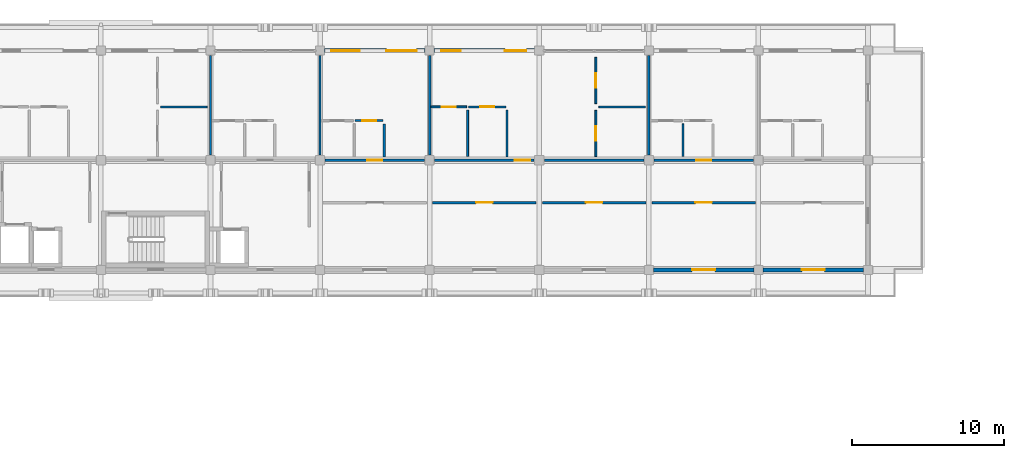
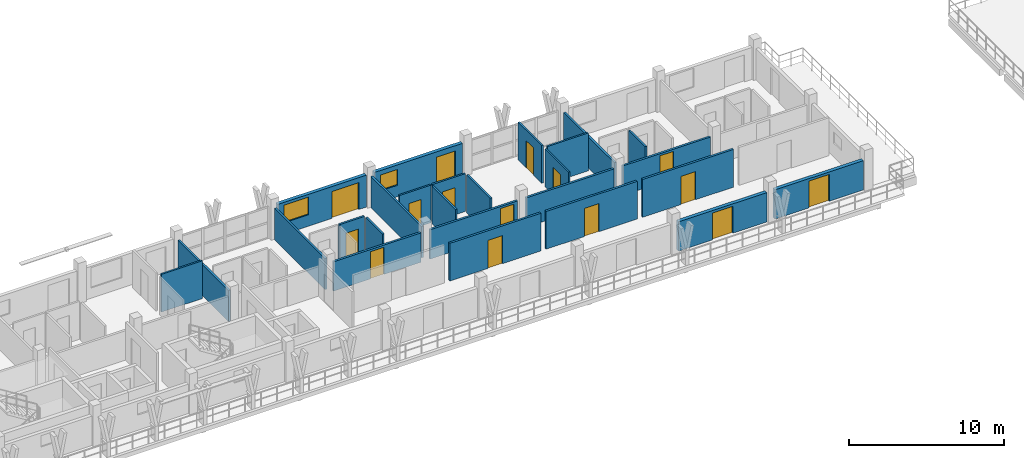
# One storey, part 42 of 73: 26 walls, 15 doors, 2 windows, 17 openings.
"""IFC4 building model written with IfcOpenShell, lengths in metres."""

from ifc_helpers import new_model, si_unit, direction, frame, frame_2d, origin, place, context, subcontext, project, spatial, rectangle, extrude, material, layer, layer_set, type_object, element, fill, save


model = new_model("IFC4")

# Units and contexts
model_context = context("Model", 3, precision=1e-05, world=origin(), true_north=direction((0.0, 1.0)))
body_context = subcontext(model_context, "Body", "Model", "MODEL_VIEW")
ifc_project = project(units=[si_unit("LENGTHUNIT", "METRE"), si_unit("AREAUNIT", "SQUARE_METRE"), si_unit("VOLUMEUNIT", "CUBIC_METRE"), si_unit("PLANEANGLEUNIT", "RADIAN"), si_unit("MASSUNIT", "GRAM", prefix="KILO")], contexts=[model_context])

# Site, building, storey
site_placement = place(None, origin())
site = spatial("IfcSite", under=ifc_project, at=site_placement, CompositionType="ELEMENT")
building_placement = place(site_placement, origin())
building = spatial("IfcBuilding", under=site, at=building_placement, Name="Suanplinth Sawtooth Commons", CompositionType="ELEMENT")
storey_placement = place(building_placement, frame((0.0, 0.0, 21.89990234375)))
storey = spatial("IfcBuildingStorey", under=building, at=storey_placement, Name="L06", CompositionType="ELEMENT", Elevation=21.89990234375)

# Wall, openings, door, window
ifc_material_1 = material(Name="Precast concrete C40/50", Category="concrete")
ifc_layer_1 = layer(ifc_material_1, 0.260009765625, Name="Insulated precast courtyard facade wall 260mm")
ifc_layer_set_1 = layer_set([ifc_layer_1], Name="Precast concrete C40/50")
wall_type_1 = type_object("IfcWallType", Name="W-EX02", PredefinedType="ELEMENTEDWALL", material=ifc_layer_set_1)
wall_1_placement = place(storey_placement, frame((72.300048828125, 122.39990234375, 0.0), z_axis=(0.0, 0.0, 1.0), x_axis=(1.0, 0.0, 0.0)))
wall_1 = element("IfcWall", 1, at=wall_1_placement, inside=storey, type_object=wall_type_1, Name="Facade Wall W-L06-A-N-9", PredefinedType="ELEMENTEDWALL", context=body_context, shape_type="SweptSolid", body=[
    extrude(rectangle(XDim=6.599853515625, YDim=0.260009765625, at=frame_2d((3.2998046875, 0.0))), origin(), (0.0, 0.0, 1.0), 2.51513671875),
])
opening_1_placement = place(wall_1_placement, frame((4.050048828125, 0.0, 0.0)))
opening_1 = element("IfcOpeningElement", 2, at=opening_1_placement, cuts=wall_1, Name="Opening ED0488", PredefinedType="OPENING", context=body_context, shape_type="SweptSolid", body=[
    extrude(rectangle(XDim=2.0, YDim=2.1201171875, at=frame_2d((1.0, 1.06005859375))), frame((0.0, 0.14501953125, 0.0), z_axis=(0.0, -1.0, 0.0), x_axis=(1.0, 0.0, 0.0)), (0.0, 0.0, 1.0), 0.289794921875),
])
opening_2_placement = place(wall_1_placement, frame((0.449951171875, 0.0, 0.89990234375)))
opening_2 = element("IfcOpeningElement", 3, at=opening_2_placement, cuts=wall_1, Name="Opening W0577", PredefinedType="OPENING", context=body_context, shape_type="SweptSolid", body=[
    extrude(rectangle(XDim=1.85009765625, YDim=1.39990234375, at=frame_2d((0.925048828125, 0.699951171875))), frame((0.0, 0.14501953125, 0.0), z_axis=(0.0, -1.0, 0.0), x_axis=(1.0, 0.0, 0.0)), (0.0, 0.0, 1.0), 0.289794921875),
])
ifc_material_2 = material(Name="Anodized aluminium and low-E glass", Category="aluminium")
door_type_1 = type_object("IfcDoorType", Name="SD-06", OperationType="DOUBLE_DOOR_SLIDING", PredefinedType="DOOR", material=ifc_material_2)
door_1_placement = place(opening_1_placement, frame((2.0, 0.0, 0.0), z_axis=(0.0, 0.0, 1.0), x_axis=(-1.0, 0.0, 0.0)))
door_1 = element("IfcDoor", 4, at=door_1_placement, inside=storey, type_object=door_type_1, Name="Balcony Sliding Door L06-A-N-9", OperationType="DOUBLE_DOOR_SLIDING", OverallHeight=2.1201171875, OverallWidth=2.0, PredefinedType="DOOR", context=body_context, shape_type="SweptSolid", body=[
    extrude(rectangle(XDim=2.0, YDim=2.1201171875, at=frame_2d((1.0, 1.06005859375))), frame((0.0, 0.02490234375, 0.0), z_axis=(0.0, -1.0, 0.0), x_axis=(1.0, 0.0, 0.0)), (0.0, 0.0, 1.0), 0.050048828125),
])
fill(opening_1, door_1)
ifc_material_3 = material(Name="Thermally broken aluminium and low-E double glazing", Category="aluminium")
window_type_1 = type_object("IfcWindowType", Name="WN-23", PartitioningType="DOUBLE_PANEL_VERTICAL", PredefinedType="WINDOW", material=ifc_material_3)
window_1_placement = place(opening_2_placement, origin())
window_1 = element("IfcWindow", 5, at=window_1_placement, inside=storey, type_object=window_type_1, Name="Window L06-A-N-9", OverallHeight=1.39990234375, OverallWidth=1.85009765625, PartitioningType="DOUBLE_PANEL_VERTICAL", PredefinedType="WINDOW", context=body_context, shape_type="SweptSolid", body=[
    extrude(rectangle(XDim=1.85009765625, YDim=1.39990234375, at=frame_2d((0.925048828125, 0.699951171875))), frame((0.0, 0.030029296875, 0.0), z_axis=(0.0, -1.0, 0.0), x_axis=(1.0, 0.0, 0.0)), (0.0, 0.0, 1.0), 0.06005859375),
])
fill(opening_2, window_1)

wall_2_placement = place(storey_placement, frame((79.5, 122.39990234375, 0.0), z_axis=(0.0, 0.0, 1.0), x_axis=(1.0, 0.0, 0.0)))
wall_2 = element("IfcWall", 6, at=wall_2_placement, inside=storey, type_object=wall_type_1, Name="Facade Wall W-L06-A-N-10", PredefinedType="ELEMENTEDWALL", context=body_context, shape_type="SweptSolid", body=[
    extrude(rectangle(XDim=6.60009765625, YDim=0.260009765625, at=frame_2d((3.300048828125, 0.0))), origin(), (0.0, 0.0, 1.0), 2.51513671875),
])
opening_3_placement = place(wall_2_placement, frame((4.64990234375, 0.0, 0.0)))
opening_3 = element("IfcOpeningElement", 7, at=opening_3_placement, cuts=wall_2, Name="Opening ED0490", PredefinedType="OPENING", context=body_context, shape_type="SweptSolid", body=[
    extrude(rectangle(XDim=1.39990234375, YDim=2.10009765625, at=frame_2d((0.699951171875, 1.050048828125))), frame((0.0, 0.14501953125, 0.0), z_axis=(0.0, -1.0, 0.0), x_axis=(1.0, 0.0, 0.0)), (0.0, 0.0, 1.0), 0.289794921875),
])
opening_4_placement = place(wall_2_placement, frame((0.449951171875, 0.0, 0.89990234375)))
opening_4 = element("IfcOpeningElement", 8, at=opening_4_placement, cuts=wall_2, Name="Opening W0578", PredefinedType="OPENING", context=body_context, shape_type="SweptSolid", body=[
    extrude(rectangle(XDim=1.300048828125, YDim=1.25, at=frame_2d((0.64990234375, 0.625))), frame((0.0, 0.14501953125, 0.0), z_axis=(0.0, -1.0, 0.0), x_axis=(1.0, 0.0, 0.0)), (0.0, 0.0, 1.0), 0.289794921875),
])
door_type_2 = type_object("IfcDoorType", Name="SD-07", OperationType="SLIDING_TO_RIGHT", PredefinedType="DOOR", material=ifc_material_2)
door_2_placement = place(opening_3_placement, frame((1.39990234375, 0.0, 0.0), z_axis=(0.0, 0.0, 1.0), x_axis=(-1.0, 0.0, 0.0)))
door_2 = element("IfcDoor", 9, at=door_2_placement, inside=storey, type_object=door_type_2, Name="Balcony Sliding Door L06-A-N-10", OperationType="SLIDING_TO_RIGHT", OverallHeight=2.10009765625, OverallWidth=1.39990234375, PredefinedType="DOOR", context=body_context, shape_type="SweptSolid", body=[
    extrude(rectangle(XDim=1.39990234375, YDim=2.10009765625, at=frame_2d((0.699951171875, 1.050048828125))), frame((0.0, 0.02490234375, 0.0), z_axis=(0.0, -1.0, 0.0), x_axis=(1.0, 0.0, 0.0)), (0.0, 0.0, 1.0), 0.050048828125),
])
fill(opening_3, door_2)
window_type_2 = type_object("IfcWindowType", Name="WN-24", PartitioningType="SINGLE_PANEL", PredefinedType="WINDOW", material=ifc_material_3)
window_2_placement = place(opening_4_placement, origin())
window_2 = element("IfcWindow", 10, at=window_2_placement, inside=storey, type_object=window_type_2, Name="Window L06-A-N-10", OverallHeight=1.25, OverallWidth=1.300048828125, PartitioningType="SINGLE_PANEL", PredefinedType="WINDOW", context=body_context, shape_type="SweptSolid", body=[
    extrude(rectangle(XDim=1.300048828125, YDim=1.25, at=frame_2d((0.64990234375, 0.625))), frame((0.0, 0.030029296875, 0.0), z_axis=(0.0, -1.0, 0.0), x_axis=(1.0, 0.0, 0.0)), (0.0, 0.0, 1.0), 0.06005859375),
])
fill(opening_4, window_2)

# Wall, opening, door
wall_3_placement = place(storey_placement, frame((93.89990234375, 108.0, 0.0), z_axis=(0.0, 0.0, 1.0), x_axis=(1.0, 0.0, 0.0)))
wall_3 = element("IfcWall", 11, at=wall_3_placement, inside=storey, type_object=wall_type_1, Name="Courtyard Wall W-L06-A-S-12", PredefinedType="ELEMENTEDWALL", context=body_context, shape_type="SweptSolid", body=[
    extrude(rectangle(XDim=6.60009765625, YDim=0.260009765625, at=frame_2d((3.300048828125, 0.0))), origin(), (0.0, 0.0, 1.0), 2.315185546875),
])
opening_5_placement = place(wall_3_placement, frame((2.550048828125, 0.0, 0.0)))
opening_5 = element("IfcOpeningElement", 12, at=opening_5_placement, cuts=wall_3, Name="Opening ED0494", PredefinedType="OPENING", context=body_context, shape_type="SweptSolid", body=[
    extrude(rectangle(XDim=1.5, YDim=2.1201171875, at=frame_2d((0.75, 1.06005859375))), frame((0.0, 0.14501953125, 0.0), z_axis=(0.0, -1.0, 0.0), x_axis=(1.0, 0.0, 0.0)), (0.0, 0.0, 1.0), 0.289794921875),
])
door_type_3 = type_object("IfcDoorType", Name="SD-03", OperationType="SLIDING_TO_LEFT", PredefinedType="DOOR", material=ifc_material_2)
door_3_placement = place(opening_5_placement, frame((1.5, 0.0, 0.0), z_axis=(0.0, 0.0, 1.0), x_axis=(-1.0, 0.0, 0.0)))
door_3 = element("IfcDoor", 13, at=door_3_placement, inside=storey, type_object=door_type_3, Name="Courtyard Balcony Sliding Door L06-A-S-12", OperationType="SLIDING_TO_LEFT", OverallHeight=2.1201171875, OverallWidth=1.5, PredefinedType="DOOR", context=body_context, shape_type="SweptSolid", body=[
    extrude(rectangle(XDim=1.5, YDim=2.1201171875, at=frame_2d((0.75, 1.06005859375))), frame((0.0, 0.02490234375, 0.0), z_axis=(0.0, -1.0, 0.0), x_axis=(1.0, 0.0, 0.0)), (0.0, 0.0, 1.0), 0.050048828125),
])
fill(opening_5, door_3)

wall_4_placement = place(storey_placement, frame((101.10009765625, 108.0, 0.0), z_axis=(0.0, 0.0, 1.0), x_axis=(1.0, 0.0, 0.0)))
wall_4 = element("IfcWall", 14, at=wall_4_placement, inside=storey, type_object=wall_type_1, Name="Courtyard Wall W-L06-A-S-13", PredefinedType="ELEMENTEDWALL", context=body_context, shape_type="SweptSolid", body=[
    extrude(rectangle(XDim=6.599853515625, YDim=0.260009765625, at=frame_2d((3.2998046875, 0.0))), origin(), (0.0, 0.0, 1.0), 2.315185546875),
])
opening_6_placement = place(wall_4_placement, frame((2.550048828125, 0.0, 0.0)))
opening_6 = element("IfcOpeningElement", 15, at=opening_6_placement, cuts=wall_4, Name="Opening ED0496", PredefinedType="OPENING", context=body_context, shape_type="SweptSolid", body=[
    extrude(rectangle(XDim=1.5, YDim=2.1201171875, at=frame_2d((0.75, 1.06005859375))), frame((0.0, 0.14501953125, 0.0), z_axis=(0.0, -1.0, 0.0), x_axis=(1.0, 0.0, 0.0)), (0.0, 0.0, 1.0), 0.289794921875),
])
door_4_placement = place(opening_6_placement, frame((1.5, 0.0, 0.0), z_axis=(0.0, 0.0, 1.0), x_axis=(-1.0, 0.0, 0.0)))
door_4 = element("IfcDoor", 16, at=door_4_placement, inside=storey, type_object=door_type_3, Name="Courtyard Balcony Sliding Door L06-A-S-13", OperationType="SLIDING_TO_LEFT", OverallHeight=2.1201171875, OverallWidth=1.5, PredefinedType="DOOR", context=body_context, shape_type="SweptSolid", body=[
    extrude(rectangle(XDim=1.5, YDim=2.1201171875, at=frame_2d((0.75, 1.06005859375))), frame((0.0, 0.02490234375, 0.0), z_axis=(0.0, -1.0, 0.0), x_axis=(1.0, 0.0, 0.0)), (0.0, 0.0, 1.0), 0.050048828125),
])
fill(opening_6, door_4)

ifc_layer_2 = layer(ifc_material_1, 0.159912109375, Name="Fire-rated corridor and lobby wall 160mm")
ifc_layer_set_2 = layer_set([ifc_layer_2], Name="Precast concrete C40/50")
wall_type_2 = type_object("IfcWallType", Name="W-FW01", PredefinedType="PARTITIONING", material=ifc_layer_set_2)
wall_5_placement = place(storey_placement, frame((72.330078125, 115.199951171875, 0.0), z_axis=(0.0, 0.0, 1.0), x_axis=(1.0, 0.0, 0.0)))
wall_5 = element("IfcWall", 17, at=wall_5_placement, inside=storey, type_object=wall_type_2, Name="W-A-L06-U08-COR", PredefinedType="PARTITIONING", context=body_context, shape_type="SweptSolid", body=[
    extrude(rectangle(XDim=6.5400390625, YDim=0.159912109375, at=frame_2d((3.27001953125, 0.0))), origin(), (0.0, 0.0, 1.0), 2.315185546875),
])
opening_7_placement = place(wall_5_placement, frame((2.77001953125, 0.0, 0.0)))
opening_7 = element("IfcOpeningElement", 18, at=opening_7_placement, cuts=wall_5, Name="Opening FD1380", PredefinedType="OPENING", context=body_context, shape_type="SweptSolid", body=[
    extrude(rectangle(XDim=1.0, YDim=2.14990234375, at=frame_2d((0.5, 1.074951171875))), frame((0.0, 0.0947265625, 0.0), z_axis=(0.0, -1.0, 0.0), x_axis=(1.0, 0.0, 0.0)), (0.0, 0.0, 1.0), 0.189697265625),
])
ifc_material_4 = material(Name="Teak hardwood fire-rated door assembly", Category="wood")
door_type_4 = type_object("IfcDoorType", Name="FD-03", OperationType="NOTDEFINED", PredefinedType="DOOR", material=ifc_material_4)
door_5_placement = place(opening_7_placement, origin())
door_5 = element("IfcDoor", 19, at=door_5_placement, inside=storey, type_object=door_type_4, Name="Unit Entrance Door FD1380", OperationType="SINGLE_SWING_RIGHT", OverallHeight=2.14990234375, OverallWidth=1.0, PredefinedType="DOOR", context=body_context, shape_type="SweptSolid", body=[
    extrude(rectangle(XDim=1.0, YDim=2.14990234375, at=frame_2d((0.5, 1.074951171875))), frame((0.0, 0.02490234375, 0.0), z_axis=(0.0, -1.0, 0.0), x_axis=(1.0, 0.0, 0.0)), (0.0, 0.0, 1.0), 0.050048828125),
])
fill(opening_7, door_5)

wall_6_placement = place(storey_placement, frame((79.530029296875, 115.199951171875, 0.0), z_axis=(0.0, 0.0, 1.0), x_axis=(1.0, 0.0, 0.0)))
wall_6 = element("IfcWall", 20, at=wall_6_placement, inside=storey, type_object=wall_type_2, Name="W-A-L06-U09-COR-S1", PredefinedType="PARTITIONING", context=body_context, shape_type="SweptSolid", body=[
    extrude(rectangle(XDim=6.5400390625, YDim=0.159912109375, at=frame_2d((3.27001953125, 0.0))), origin(), (0.0, 0.0, 1.0), 2.315185546875),
])
opening_8_placement = place(wall_6_placement, frame((5.27001953125, 0.0, 0.0)))
opening_8 = element("IfcOpeningElement", 21, at=opening_8_placement, cuts=wall_6, Name="Opening FD1383", PredefinedType="OPENING", context=body_context, shape_type="SweptSolid", body=[
    extrude(rectangle(XDim=1.0, YDim=2.14990234375, at=frame_2d((0.5, 1.074951171875))), frame((0.0, 0.0947265625, 0.0), z_axis=(0.0, -1.0, 0.0), x_axis=(1.0, 0.0, 0.0)), (0.0, 0.0, 1.0), 0.189697265625),
])
door_6_placement = place(opening_8_placement, origin())
door_6 = element("IfcDoor", 22, at=door_6_placement, inside=storey, type_object=door_type_4, Name="Unit Entrance Door FD1383", OperationType="SINGLE_SWING_LEFT", OverallHeight=2.14990234375, OverallWidth=1.0, PredefinedType="DOOR", context=body_context, shape_type="SweptSolid", body=[
    extrude(rectangle(XDim=1.0, YDim=2.14990234375, at=frame_2d((0.5, 1.074951171875))), frame((0.0, 0.02490234375, 0.0), z_axis=(0.0, -1.0, 0.0), x_axis=(1.0, 0.0, 0.0)), (0.0, 0.0, 1.0), 0.050048828125),
])
fill(opening_8, door_6)

# Wall
wall_7_placement = place(storey_placement, frame((86.72998046875, 115.199951171875, 0.0), z_axis=(0.0, 0.0, 1.0), x_axis=(1.0, 0.0, 0.0)))
element("IfcWall", 23, at=wall_7_placement, inside=storey, type_object=wall_type_2, Name="W-A-L06-U09-COR-S2", PredefinedType="PARTITIONING", context=body_context, shape_type="SweptSolid", body=[
    extrude(rectangle(XDim=6.5400390625, YDim=0.159912109375, at=frame_2d((3.27001953125, 0.0))), origin(), (0.0, 0.0, 1.0), 2.315185546875),
])

# Wall, opening, door
wall_8_placement = place(storey_placement, frame((93.929931640625, 115.199951171875, 0.0), z_axis=(0.0, 0.0, 1.0), x_axis=(1.0, 0.0, 0.0)))
wall_8 = element("IfcWall", 24, at=wall_8_placement, inside=storey, type_object=wall_type_2, Name="W-A-L06-U10-COR", PredefinedType="PARTITIONING", context=body_context, shape_type="SweptSolid", body=[
    extrude(rectangle(XDim=6.5400390625, YDim=0.159912109375, at=frame_2d((3.27001953125, 0.0))), origin(), (0.0, 0.0, 1.0), 2.315185546875),
])
opening_9_placement = place(wall_8_placement, frame((2.77001953125, 0.0, 0.0)))
opening_9 = element("IfcOpeningElement", 25, at=opening_9_placement, cuts=wall_8, Name="Opening FD1388", PredefinedType="OPENING", context=body_context, shape_type="SweptSolid", body=[
    extrude(rectangle(XDim=1.0, YDim=2.14990234375, at=frame_2d((0.5, 1.074951171875))), frame((0.0, 0.0947265625, 0.0), z_axis=(0.0, -1.0, 0.0), x_axis=(1.0, 0.0, 0.0)), (0.0, 0.0, 1.0), 0.189697265625),
])
door_7_placement = place(opening_9_placement, origin())
door_7 = element("IfcDoor", 26, at=door_7_placement, inside=storey, type_object=door_type_4, Name="Unit Entrance Door FD1388", OperationType="SINGLE_SWING_RIGHT", OverallHeight=2.14990234375, OverallWidth=1.0, PredefinedType="DOOR", context=body_context, shape_type="SweptSolid", body=[
    extrude(rectangle(XDim=1.0, YDim=2.14990234375, at=frame_2d((0.5, 1.074951171875))), frame((0.0, 0.02490234375, 0.0), z_axis=(0.0, -1.0, 0.0), x_axis=(1.0, 0.0, 0.0)), (0.0, 0.0, 1.0), 0.050048828125),
])
fill(opening_9, door_7)

wall_9_placement = place(storey_placement, frame((79.39990234375, 112.419921875, 0.0), z_axis=(0.0, 0.0, 1.0), x_axis=(1.0, 0.0, 0.0)))
wall_9 = element("IfcWall", 27, at=wall_9_placement, inside=storey, type_object=wall_type_2, Name="W-A-L06-COURTROOM-17-COR", PredefinedType="PARTITIONING", context=body_context, shape_type="SweptSolid", body=[
    extrude(rectangle(XDim=6.800048828125, YDim=0.159912109375, at=frame_2d((3.39990234375, 0.0))), origin(), (0.0, 0.0, 1.0), 2.97998046875),
])
opening_10_placement = place(wall_9_placement, frame((2.860107421875, 0.0, 0.0)))
opening_10 = element("IfcOpeningElement", 28, at=opening_10_placement, cuts=wall_9, Name="Opening D1400", PredefinedType="OPENING", context=body_context, shape_type="SweptSolid", body=[
    extrude(rectangle(XDim=1.080078125, YDim=2.219970703125, at=frame_2d((0.5400390625, 1.10986328125))), frame((0.0, 0.0947265625, 0.0), z_axis=(0.0, -1.0, 0.0), x_axis=(1.0, 0.0, 0.0)), (0.0, 0.0, 1.0), 0.189697265625),
])
ifc_material_5 = material(Name="Teak hardwood", Category="wood")
door_type_5 = type_object("IfcDoorType", Name="D-17", OperationType="NOTDEFINED", PredefinedType="DOOR", material=ifc_material_5)
door_8_placement = place(opening_10_placement, frame((1.080078125, 0.0, 0.0), z_axis=(0.0, 0.0, 1.0), x_axis=(-1.0, 0.0, 0.0)))
door_8 = element("IfcDoor", 29, at=door_8_placement, inside=storey, type_object=door_type_5, Name="Study Studio Door D1400", OperationType="SINGLE_SWING_RIGHT", OverallHeight=2.219970703125, OverallWidth=1.080078125, PredefinedType="DOOR", context=body_context, shape_type="SweptSolid", body=[
    extrude(rectangle(XDim=1.080078125, YDim=2.219970703125, at=frame_2d((0.5400390625, 1.10986328125))), frame((0.0, 0.02490234375, 0.0), z_axis=(0.0, -1.0, 0.0), x_axis=(1.0, 0.0, 0.0)), (0.0, 0.0, 1.0), 0.050048828125),
])
fill(opening_10, door_8)

wall_10_placement = place(storey_placement, frame((86.60009765625, 112.419921875, 0.0), z_axis=(0.0, 0.0, 1.0), x_axis=(1.0, 0.0, 0.0)))
wall_10 = element("IfcWall", 30, at=wall_10_placement, inside=storey, type_object=wall_type_2, Name="W-A-L06-COURTROOM-18-COR", PredefinedType="PARTITIONING", context=body_context, shape_type="SweptSolid", body=[
    extrude(rectangle(XDim=6.7998046875, YDim=0.159912109375, at=frame_2d((3.39990234375, 0.0))), origin(), (0.0, 0.0, 1.0), 2.97998046875),
])
opening_11_placement = place(wall_10_placement, frame((2.860107421875, 0.0, 0.0)))
opening_11 = element("IfcOpeningElement", 31, at=opening_11_placement, cuts=wall_10, Name="Opening D1401", PredefinedType="OPENING", context=body_context, shape_type="SweptSolid", body=[
    extrude(rectangle(XDim=1.080078125, YDim=2.219970703125, at=frame_2d((0.5400390625, 1.10986328125))), frame((0.0, 0.0947265625, 0.0), z_axis=(0.0, -1.0, 0.0), x_axis=(1.0, 0.0, 0.0)), (0.0, 0.0, 1.0), 0.189697265625),
])
door_9_placement = place(opening_11_placement, frame((1.080078125, 0.0, 0.0), z_axis=(0.0, 0.0, 1.0), x_axis=(-1.0, 0.0, 0.0)))
door_9 = element("IfcDoor", 32, at=door_9_placement, inside=storey, type_object=door_type_5, Name="Study Studio Door D1401", OperationType="SINGLE_SWING_LEFT", OverallHeight=2.219970703125, OverallWidth=1.080078125, PredefinedType="DOOR", context=body_context, shape_type="SweptSolid", body=[
    extrude(rectangle(XDim=1.080078125, YDim=2.219970703125, at=frame_2d((0.5400390625, 1.10986328125))), frame((0.0, 0.02490234375, 0.0), z_axis=(0.0, -1.0, 0.0), x_axis=(1.0, 0.0, 0.0)), (0.0, 0.0, 1.0), 0.050048828125),
])
fill(opening_11, door_9)

wall_11_placement = place(storey_placement, frame((93.800048828125, 112.419921875, 0.0), z_axis=(0.0, 0.0, 1.0), x_axis=(1.0, 0.0, 0.0)))
wall_11 = element("IfcWall", 33, at=wall_11_placement, inside=storey, type_object=wall_type_2, Name="W-A-L06-COURTROOM-19-COR", PredefinedType="PARTITIONING", context=body_context, shape_type="SweptSolid", body=[
    extrude(rectangle(XDim=6.800048828125, YDim=0.159912109375, at=frame_2d((3.39990234375, 0.0))), origin(), (0.0, 0.0, 1.0), 2.97998046875),
])
opening_12_placement = place(wall_11_placement, frame((2.860107421875, 0.0, 0.0)))
opening_12 = element("IfcOpeningElement", 34, at=opening_12_placement, cuts=wall_11, Name="Opening D1402", PredefinedType="OPENING", context=body_context, shape_type="SweptSolid", body=[
    extrude(rectangle(XDim=1.080078125, YDim=2.219970703125, at=frame_2d((0.5400390625, 1.10986328125))), frame((0.0, 0.0947265625, 0.0), z_axis=(0.0, -1.0, 0.0), x_axis=(1.0, 0.0, 0.0)), (0.0, 0.0, 1.0), 0.189697265625),
])
door_10_placement = place(opening_12_placement, frame((1.080078125, 0.0, 0.0), z_axis=(0.0, 0.0, 1.0), x_axis=(-1.0, 0.0, 0.0)))
door_10 = element("IfcDoor", 35, at=door_10_placement, inside=storey, type_object=door_type_5, Name="Study Studio Door D1402", OperationType="SINGLE_SWING_RIGHT", OverallHeight=2.219970703125, OverallWidth=1.080078125, PredefinedType="DOOR", context=body_context, shape_type="SweptSolid", body=[
    extrude(rectangle(XDim=1.080078125, YDim=2.219970703125, at=frame_2d((0.5400390625, 1.10986328125))), frame((0.0, 0.02490234375, 0.0), z_axis=(0.0, -1.0, 0.0), x_axis=(1.0, 0.0, 0.0)), (0.0, 0.0, 1.0), 0.050048828125),
])
fill(opening_12, door_10)

# Walls
ifc_layer_3 = layer(ifc_material_1, 0.14990234375, Name="Acoustic precast party demising wall 150mm")
ifc_layer_set_3 = layer_set([ifc_layer_3], Name="Precast concrete C40/50")
wall_type_3 = type_object("IfcWallType", Name="W-FW02", PredefinedType="PARTITIONING", material=ifc_layer_set_3)
for number, where, z_axis, x_axis, name in (
    (36, (64.800048828125, 115.530029296875, 0.0), (0.0, 0.0, 1.0), (0.0, 1.0, 0.0), "W-A-L06-U06-PTY"),
    (37, (72.0, 115.530029296875, 0.0), (0.0, 0.0, 1.0), (0.0, 1.0, 0.0), "W-A-L06-U07-PTY"),
    (38, (79.199951171875, 115.530029296875, 0.0), (0.0, 0.0, 1.0), (0.0, 1.0, 0.0), "W-A-L06-U08-PTY"),
    (39, (93.60009765625, 115.530029296875, 0.0), (0.0, 0.0, 1.0), (0.0, 1.0, 0.0), "W-A-L06-U09-PTY"),
):
    element("IfcWall", number, at=place(storey_placement, frame(where, z_axis=z_axis, x_axis=x_axis)), inside=storey, type_object=wall_type_3, Name=name, PredefinedType="PARTITIONING", context=body_context, shape_type="SweptSolid", body=[
        extrude(rectangle(XDim=6.5400390625, YDim=0.14990234375, at=frame_2d((3.27001953125, 0.0))), origin(), (0.0, 0.0, 1.0), 2.465087890625),
    ])

# Wall, opening, door
ifc_material_6 = material(Name="Gypsum plasterboard on steel stud", Category="steel")
ifc_layer_4 = layer(ifc_material_6, 0.139892578125, Name="Fire-rated kitchen partition 140mm")
ifc_layer_set_4 = layer_set([ifc_layer_4], Name="Gypsum plasterboard on steel stud")
wall_type_4 = type_object("IfcWallType", Name="W-PT01", PredefinedType="PARTITIONING", material=ifc_layer_set_4)
wall_12_placement = place(storey_placement, frame((74.300048828125, 117.800048828125, 0.0), z_axis=(0.0, 0.0, 1.0), x_axis=(1.0, 0.0, 0.0)))
wall_12 = element("IfcWall", 40, at=wall_12_placement, inside=storey, type_object=wall_type_4, Name="W-A-L06-U08-KIT1", PredefinedType="PARTITIONING", context=body_context, shape_type="SweptSolid", body=[
    extrude(rectangle(XDim=1.849853515625, YDim=0.139892578125, at=frame_2d((0.9248046875, 0.0))), origin(), (0.0, 0.0, 1.0), 2.97998046875),
])
opening_13_placement = place(wall_12_placement, frame((0.4599609375, 0.0, 0.0)))
opening_13 = element("IfcOpeningElement", 41, at=opening_13_placement, cuts=wall_12, Name="Opening D1382", PredefinedType="OPENING", context=body_context, shape_type="SweptSolid", body=[
    extrude(rectangle(XDim=0.929931640625, YDim=2.139892578125, at=frame_2d((0.46484375, 1.06982421875))), frame((0.0, 0.0849609375, 0.0), z_axis=(0.0, -1.0, 0.0), x_axis=(1.0, 0.0, 0.0)), (0.0, 0.0, 1.0), 0.169677734375),
])
door_type_6 = type_object("IfcDoorType", Name="D-19", OperationType="NOTDEFINED", PredefinedType="DOOR", material=ifc_material_5)
door_11_placement = place(opening_13_placement, frame((0.929931640625, 0.0, 0.0), z_axis=(0.0, 0.0, 1.0), x_axis=(-1.0, 0.0, 0.0)))
door_11 = element("IfcDoor", 42, at=door_11_placement, inside=storey, type_object=door_type_6, Name="Kitchen Door D1382", OperationType="SINGLE_SWING_RIGHT", OverallHeight=2.139892578125, OverallWidth=0.929931640625, PredefinedType="DOOR", context=body_context, shape_type="SweptSolid", body=[
    extrude(rectangle(XDim=0.929931640625, YDim=2.139892578125, at=frame_2d((0.46484375, 1.06982421875))), frame((0.0, 0.02490234375, 0.0), z_axis=(0.0, -1.0, 0.0), x_axis=(1.0, 0.0, 0.0)), (0.0, 0.0, 1.0), 0.050048828125),
])
fill(opening_13, door_11)

# Wall
wall_13_placement = place(storey_placement, frame((76.219970703125, 115.429931640625, 0.0), z_axis=(0.0, 0.0, 1.0), x_axis=(0.0, 1.0, 0.0)))
element("IfcWall", 43, at=wall_13_placement, inside=storey, type_object=wall_type_4, Name="W-A-L06-U08-KIT2", PredefinedType="PARTITIONING", context=body_context, shape_type="SweptSolid", body=[
    extrude(rectangle(XDim=2.150146484375, YDim=0.139892578125, at=frame_2d((1.0751953125, 0.0))), origin(), (0.0, 0.0, 1.0), 2.97998046875),
])

# Wall, opening, door
wall_14_placement = place(storey_placement, frame((81.75, 118.7099609375, 0.0), z_axis=(0.0, 0.0, 1.0), x_axis=(1.0, 0.0, 0.0)))
wall_14 = element("IfcWall", 44, at=wall_14_placement, inside=storey, type_object=wall_type_4, Name="W-A-L06-U09-KIT1", PredefinedType="PARTITIONING", context=body_context, shape_type="SweptSolid", body=[
    extrude(rectangle(XDim=2.449951171875, YDim=0.139892578125, at=frame_2d((1.22509765625, 0.0))), origin(), (0.0, 0.0, 1.0), 2.97998046875),
])
opening_14_placement = place(wall_14_placement, frame((0.760009765625, 0.0, 0.0)))
opening_14 = element("IfcOpeningElement", 45, at=opening_14_placement, cuts=wall_14, Name="Opening D1385", PredefinedType="OPENING", context=body_context, shape_type="SweptSolid", body=[
    extrude(rectangle(XDim=0.929931640625, YDim=2.139892578125, at=frame_2d((0.46484375, 1.06982421875))), frame((0.0, 0.0849609375, 0.0), z_axis=(0.0, -1.0, 0.0), x_axis=(1.0, 0.0, 0.0)), (0.0, 0.0, 1.0), 0.169677734375),
])
door_12_placement = place(opening_14_placement, frame((0.929931640625, 0.0, 0.0), z_axis=(0.0, 0.0, 1.0), x_axis=(-1.0, 0.0, 0.0)))
door_12 = element("IfcDoor", 46, at=door_12_placement, inside=storey, type_object=door_type_6, Name="Kitchen Door D1385", OperationType="SINGLE_SWING_LEFT", OverallHeight=2.139892578125, OverallWidth=0.929931640625, PredefinedType="DOOR", context=body_context, shape_type="SweptSolid", body=[
    extrude(rectangle(XDim=0.929931640625, YDim=2.139892578125, at=frame_2d((0.46484375, 1.06982421875))), frame((0.0, 0.02490234375, 0.0), z_axis=(0.0, -1.0, 0.0), x_axis=(1.0, 0.0, 0.0)), (0.0, 0.0, 1.0), 0.050048828125),
])
fill(opening_14, door_12)

# Wall
wall_15_placement = place(storey_placement, frame((84.27001953125, 115.429931640625, 0.0), z_axis=(0.0, 0.0, 1.0), x_axis=(0.0, 1.0, 0.0)))
element("IfcWall", 47, at=wall_15_placement, inside=storey, type_object=wall_type_4, Name="W-A-L06-U09-KIT2", PredefinedType="PARTITIONING", context=body_context, shape_type="SweptSolid", body=[
    extrude(rectangle(XDim=3.06005859375, YDim=0.139892578125, at=frame_2d((1.530029296875, 0.0))), origin(), (0.0, 0.0, 1.0), 2.97998046875),
])

# Wall, opening, door
ifc_layer_5 = layer(ifc_material_6, 0.1298828125, Name="Moisture-resistant bathroom partition 130mm")
ifc_layer_set_5 = layer_set([ifc_layer_5], Name="Gypsum plasterboard on steel stud")
wall_type_5 = type_object("IfcWallType", Name="W-PT02", PredefinedType="PARTITIONING", material=ifc_layer_set_5)
wall_16_placement = place(storey_placement, frame((79.280029296875, 118.705078125, 0.0), z_axis=(0.0, 0.0, 1.0), x_axis=(1.0, 0.0, 0.0)))
wall_16 = element("IfcWall", 48, at=wall_16_placement, inside=storey, type_object=wall_type_5, Name="W-A-L06-U09-BTH1", PredefinedType="PARTITIONING", context=body_context, shape_type="SweptSolid", body=[
    extrude(rectangle(XDim=2.349853515625, YDim=0.1298828125, at=frame_2d((1.1748046875, 0.0))), origin(), (0.0, 0.0, 1.0), 2.97998046875),
])
opening_15_placement = place(wall_16_placement, frame((0.72509765625, 0.0, 0.0)))
opening_15 = element("IfcOpeningElement", 49, at=opening_15_placement, cuts=wall_16, Name="Opening D1384", PredefinedType="OPENING", context=body_context, shape_type="SweptSolid", body=[
    extrude(rectangle(XDim=0.89990234375, YDim=2.10009765625, at=frame_2d((0.449951171875, 1.050048828125))), frame((0.0, 0.079833984375, 0.0), z_axis=(0.0, -1.0, 0.0), x_axis=(1.0, 0.0, 0.0)), (0.0, 0.0, 1.0), 0.15966796875),
])
door_type_7 = type_object("IfcDoorType", Name="D-01", OperationType="NOTDEFINED", PredefinedType="DOOR", material=ifc_material_5)
door_13_placement = place(opening_15_placement, frame((0.89990234375, 0.0, 0.0), z_axis=(0.0, 0.0, 1.0), x_axis=(-1.0, 0.0, 0.0)))
door_13 = element("IfcDoor", 50, at=door_13_placement, inside=storey, type_object=door_type_7, Name="Bathroom Door D1384", OperationType="SINGLE_SWING_RIGHT", OverallHeight=2.10009765625, OverallWidth=0.89990234375, PredefinedType="DOOR", context=body_context, shape_type="SweptSolid", body=[
    extrude(rectangle(XDim=0.89990234375, YDim=2.10009765625, at=frame_2d((0.449951171875, 1.050048828125))), frame((0.0, 0.02490234375, 0.0), z_axis=(0.0, -1.0, 0.0), x_axis=(1.0, 0.0, 0.0)), (0.0, 0.0, 1.0), 0.050048828125),
])
fill(opening_15, door_13)

# Walls
wall_17_placement = place(storey_placement, frame((81.695068359375, 115.4599609375, 0.0), z_axis=(0.0, 0.0, 1.0), x_axis=(0.0, 1.0, 0.0)))
element("IfcWall", 51, at=wall_17_placement, inside=storey, type_object=wall_type_5, Name="W-A-L06-U09-BTH2", PredefinedType="PARTITIONING", context=body_context, shape_type="SweptSolid", body=[
    extrude(rectangle(XDim=3.0400390625, YDim=0.1298828125, at=frame_2d((1.52001953125, 0.0))), origin(), (0.0, 0.0, 1.0), 2.97998046875),
])
wall_18_placement = place(storey_placement, frame((95.844970703125, 115.4599609375, 0.0), z_axis=(0.0, 0.0, 1.0), x_axis=(0.0, 1.0, 0.0)))
element("IfcWall", 52, at=wall_18_placement, inside=storey, type_object=wall_type_5, Name="W-A-L06-U10-BTH2", PredefinedType="PARTITIONING", context=body_context, shape_type="SweptSolid", body=[
    extrude(rectangle(XDim=2.130126953125, YDim=0.1298828125, at=frame_2d((1.06494140625, 0.0))), origin(), (0.0, 0.0, 1.0), 2.97998046875),
])

# Wall, opening, door
ifc_layer_6 = layer(ifc_material_6, 0.1201171875, Name="Acoustic bedroom partition 120mm")
ifc_layer_set_6 = layer_set([ifc_layer_6], Name="Gypsum plasterboard on steel stud")
wall_type_6 = type_object("IfcWallType", Name="W-PT03", PredefinedType="PARTITIONING", material=ifc_layer_set_6)
wall_19_placement = place(storey_placement, frame((90.1201171875, 118.919921875, 0.0), z_axis=(0.0, 0.0, 1.0), x_axis=(0.0, 1.0, 0.0)))
wall_19 = element("IfcWall", 53, at=wall_19_placement, inside=storey, type_object=wall_type_6, Name="W-A-L06-U09-BED1", PredefinedType="PARTITIONING", context=body_context, shape_type="SweptSolid", body=[
    extrude(rectangle(XDim=3.0400390625, YDim=0.1201171875, at=frame_2d((1.52001953125, 0.0))), origin(), (0.0, 0.0, 1.0), 2.97998046875),
])
opening_16_placement = place(wall_19_placement, frame((1.044921875, 0.0, 0.0)))
opening_16 = element("IfcOpeningElement", 54, at=opening_16_placement, cuts=wall_19, Name="Opening D1386", PredefinedType="OPENING", context=body_context, shape_type="SweptSolid", body=[
    extrude(rectangle(XDim=0.949951171875, YDim=2.14990234375, at=frame_2d((0.47509765625, 1.074951171875))), frame((0.0, 0.074951171875, 0.0), z_axis=(0.0, -1.0, 0.0), x_axis=(1.0, 0.0, 0.0)), (0.0, 0.0, 1.0), 0.14990234375),
])
door_type_8 = type_object("IfcDoorType", Name="D-03", OperationType="NOTDEFINED", PredefinedType="DOOR", material=ifc_material_5)
door_14_placement = place(opening_16_placement, frame((0.949951171875, 0.0, 0.0), z_axis=(0.0, 0.0, 1.0), x_axis=(-1.0, 0.0, 0.0)))
door_14 = element("IfcDoor", 55, at=door_14_placement, inside=storey, type_object=door_type_8, Name="Bedroom Door D1386", OperationType="SINGLE_SWING_RIGHT", OverallHeight=2.14990234375, OverallWidth=0.949951171875, PredefinedType="DOOR", context=body_context, shape_type="SweptSolid", body=[
    extrude(rectangle(XDim=0.949951171875, YDim=2.14990234375, at=frame_2d((0.47509765625, 1.074951171875))), frame((0.0, 0.02490234375, 0.0), z_axis=(0.0, -1.0, 0.0), x_axis=(1.0, 0.0, 0.0)), (0.0, 0.0, 1.0), 0.050048828125),
])
fill(opening_16, door_14)

wall_20_placement = place(storey_placement, frame((90.1201171875, 115.43994140625, 0.0), z_axis=(0.0, 0.0, 1.0), x_axis=(0.0, 1.0, 0.0)))
wall_20 = element("IfcWall", 56, at=wall_20_placement, inside=storey, type_object=wall_type_6, Name="W-A-L06-U09-BED2", PredefinedType="PARTITIONING", context=body_context, shape_type="SweptSolid", body=[
    extrude(rectangle(XDim=3.0400390625, YDim=0.1201171875, at=frame_2d((1.52001953125, 0.0))), origin(), (0.0, 0.0, 1.0), 2.97998046875),
])
opening_17_placement = place(wall_20_placement, frame((1.0400390625, 0.0, 0.0)))
opening_17 = element("IfcOpeningElement", 57, at=opening_17_placement, cuts=wall_20, Name="Opening D1387", PredefinedType="OPENING", context=body_context, shape_type="SweptSolid", body=[
    extrude(rectangle(XDim=0.9599609375, YDim=2.14990234375, at=frame_2d((0.47998046875, 1.074951171875))), frame((0.0, 0.074951171875, 0.0), z_axis=(0.0, -1.0, 0.0), x_axis=(1.0, 0.0, 0.0)), (0.0, 0.0, 1.0), 0.14990234375),
])
door_type_9 = type_object("IfcDoorType", Name="D-13", OperationType="NOTDEFINED", PredefinedType="DOOR", material=ifc_material_5)
door_15_placement = place(opening_17_placement, frame((0.9599609375, 0.0, 0.0), z_axis=(0.0, 0.0, 1.0), x_axis=(-1.0, 0.0, 0.0)))
door_15 = element("IfcDoor", 58, at=door_15_placement, inside=storey, type_object=door_type_9, Name="Second Bedroom Door D1387", OperationType="SINGLE_SWING_LEFT", OverallHeight=2.14990234375, OverallWidth=0.9599609375, PredefinedType="DOOR", context=body_context, shape_type="SweptSolid", body=[
    extrude(rectangle(XDim=0.9599609375, YDim=2.14990234375, at=frame_2d((0.47998046875, 1.074951171875))), frame((0.0, 0.02490234375, 0.0), z_axis=(0.0, -1.0, 0.0), x_axis=(1.0, 0.0, 0.0)), (0.0, 0.0, 1.0), 0.050048828125),
])
fill(opening_17, door_15)

# Walls
ifc_layer_7 = layer(ifc_material_6, 0.125, Name="Acoustic study partition 125mm")
ifc_layer_set_7 = layer_set([ifc_layer_7], Name="Gypsum plasterboard on steel stud")
wall_type_7 = type_object("IfcWallType", Name="W-PT06", PredefinedType="PARTITIONING", material=ifc_layer_set_7)
wall_21_placement = place(storey_placement, frame((61.52001953125, 118.699951171875, 0.0), z_axis=(0.0, 0.0, 1.0), x_axis=(1.0, 0.0, 0.0)))
element("IfcWall", 59, at=wall_21_placement, inside=storey, type_object=wall_type_7, Name="W-A-L06-U06-BEDDIV", PredefinedType="PARTITIONING", context=body_context, shape_type="SweptSolid", body=[
    extrude(rectangle(XDim=3.06005859375, YDim=0.125, at=frame_2d((1.530029296875, 0.0))), origin(), (0.0, 0.0, 1.0), 2.97998046875),
])
wall_22_placement = place(storey_placement, frame((90.320068359375, 118.699951171875, 0.0), z_axis=(0.0, 0.0, 1.0), x_axis=(1.0, 0.0, 0.0)))
element("IfcWall", 60, at=wall_22_placement, inside=storey, type_object=wall_type_7, Name="W-A-L06-U09-BEDDIV", PredefinedType="PARTITIONING", context=body_context, shape_type="SweptSolid", body=[
    extrude(rectangle(XDim=3.059814453125, YDim=0.125, at=frame_2d((1.52978515625, 0.0))), origin(), (0.0, 0.0, 1.0), 2.97998046875),
])

save(model, "model.ifc")
